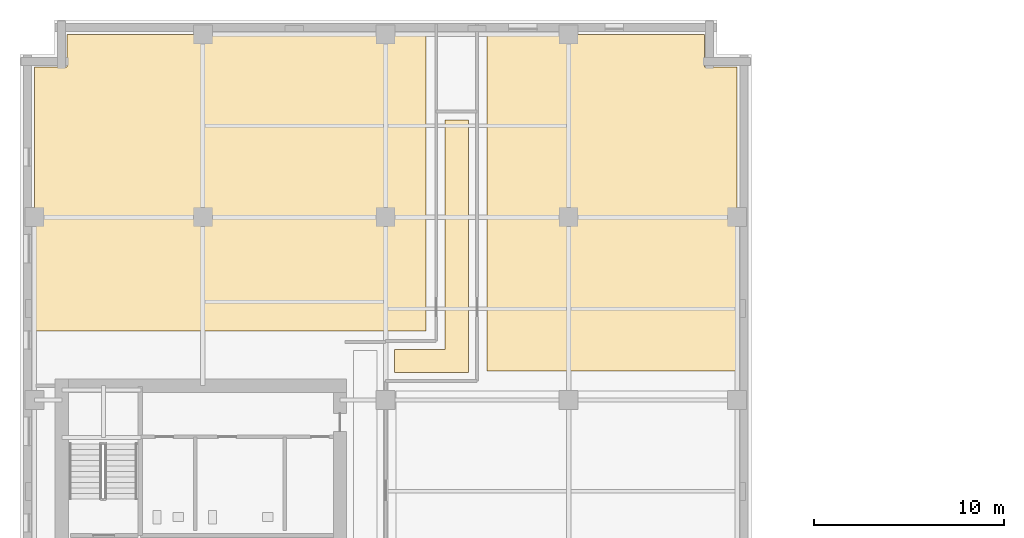
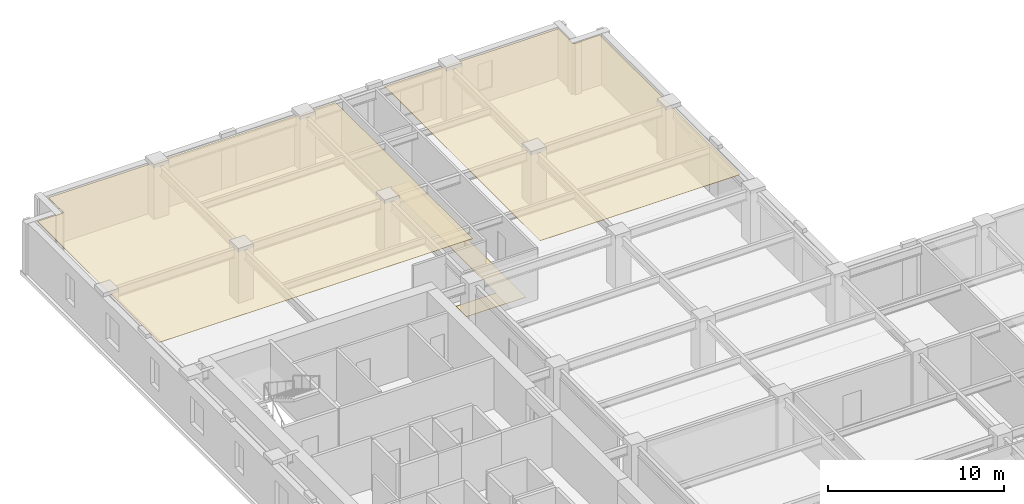
# One storey, part 12 of 13: 3 coverings.
"""IFC4 building model written with IfcOpenShell, lengths in metres."""

from ifc_helpers import new_model, si_unit, direction, frame, origin, place, context, subcontext, project, spatial, polyline, outline, extrude, material, layer, layer_set, type_object, element, save


model = new_model("IFC4")

# Units and contexts
model_context = context("Model", 3, precision=1e-05, world=origin(), true_north=direction((0.0, 1.0)))
body_context = subcontext(model_context, "Body", "Model", "MODEL_VIEW")
ifc_project = project(units=[si_unit("LENGTHUNIT", "METRE"), si_unit("AREAUNIT", "SQUARE_METRE"), si_unit("VOLUMEUNIT", "CUBIC_METRE"), si_unit("PLANEANGLEUNIT", "RADIAN"), si_unit("MASSUNIT", "GRAM", prefix="KILO")], contexts=[model_context])

# Site, building, storey
site_placement = place(None, origin())
site = spatial("IfcSite", under=ifc_project, at=site_placement, CompositionType="ELEMENT")
building_placement = place(site_placement, origin())
building = spatial("IfcBuilding", under=site, at=building_placement, Name="Norrvale University Quadrangle", CompositionType="ELEMENT")
storey_placement = place(building_placement, frame((0.0, 0.0, 131.800048828125)))
storey = spatial("IfcBuildingStorey", under=building, at=storey_placement, Name="L33", CompositionType="ELEMENT", Elevation=131.800048828125)

# Coverings
ifc_material_1 = material(Name="Perforated Acoustic Mineral Ceiling")
ifc_layer_1 = layer(ifc_material_1, 0.02490234375, Name="Perforated Acoustic Mineral Ceiling")
ifc_layer_set_1 = layer_set([ifc_layer_1], Name="Perforated Acoustic Mineral Ceiling")
covering_type_1 = type_object("IfcCoveringType", Name="Covering Acoustic Ceiling 25", PredefinedType="CEILING", material=ifc_layer_set_1)
covering_1_placement = place(storey_placement, frame((0.0, 0.0, 3.514892578125)))
element("IfcCovering", 1, at=covering_1_placement, inside=storey, type_object=covering_type_1, Name="Acoustic Ceiling RM-L33-NE01", PredefinedType="CEILING", context=body_context, shape_type="SweptSolid", body=[
    extrude(outline(polyline([(37.64990234375, 48.780029296875), (24.530029296875, 48.780029296875), (24.530029296875, 66.449951171875), (35.929931640625, 66.449951171875), (35.929931640625, 64.72998046875), (37.64990234375, 64.72998046875), (37.64990234375, 48.780029296875)])), origin(), (0.0, 0.0, 1.0), 0.025146484375),
])
covering_2_placement = place(storey_placement, frame((0.0, 0.0, 3.514892578125)))
element("IfcCovering", 2, at=covering_2_placement, inside=storey, type_object=covering_type_1, Name="Acoustic Ceiling RM-L33-NW01", PredefinedType="CEILING", context=body_context, shape_type="SweptSolid", body=[
    extrude(outline(polyline([(21.320068359375, 66.449951171875), (21.320068359375, 50.8798828125), (0.75, 50.8798828125), (0.75, 64.72998046875), (2.469970703125, 64.72998046875), (2.469970703125, 66.449951171875), (21.320068359375, 66.449951171875)])), origin(), (0.0, 0.0, 1.0), 0.025146484375),
])
ifc_material_2 = material(Name="Polished Terrazzo Flooring")
ifc_layer_2 = layer(ifc_material_2, 0.02490234375, Name="Polished Terrazzo Flooring")
ifc_layer_set_2 = layer_set([ifc_layer_2], Name="Polished Terrazzo Flooring")
covering_type_2 = type_object("IfcCoveringType", Name="Covering Terrazzo Floor 30", PredefinedType="FLOORING", material=ifc_layer_set_2)
covering_3_placement = place(storey_placement, origin())
element("IfcCovering", 3, at=covering_3_placement, inside=storey, type_object=covering_type_2, Name="Terrazzo Flooring RM-L33-NCJOG", PredefinedType="FLOORING", context=body_context, shape_type="SweptSolid", body=[
    extrude(outline(polyline([(19.64990234375, 48.699951171875), (19.64990234375, 49.89990234375), (22.300048828125, 49.89990234375), (22.300048828125, 61.949951171875), (23.550048828125, 61.949951171875), (23.550048828125, 48.699951171875), (19.64990234375, 48.699951171875)])), origin(), (0.0, 0.0, 1.0), 0.02490234375),
])

save(model, "model.ifc")
